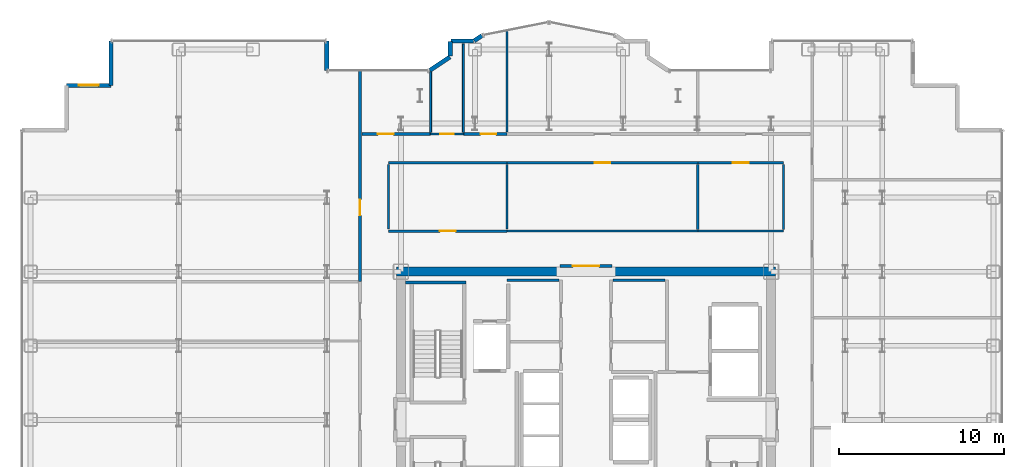
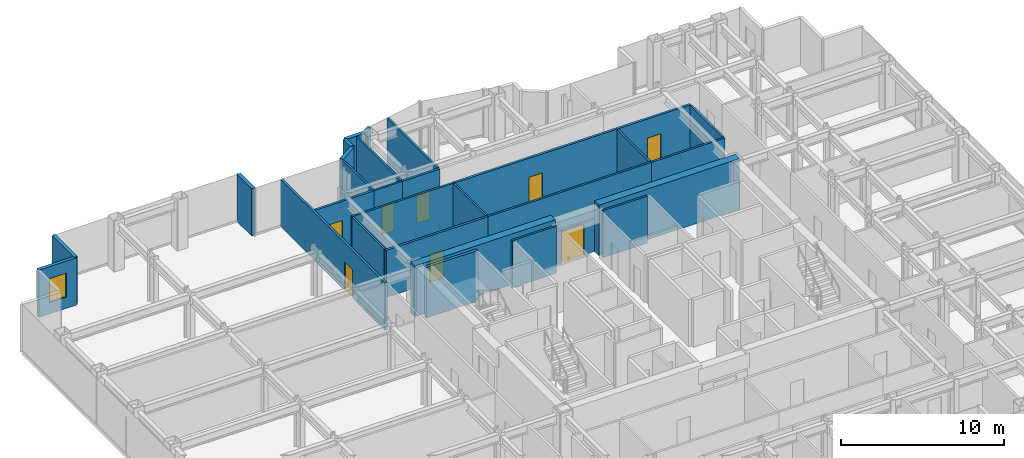
# One storey, part 21 of 23: 30 walls, 8 doors, 1 window, 9 openings.
"""IFC4 building model written with IfcOpenShell, lengths in metres."""

from ifc_helpers import new_model, si_unit, direction, frame, frame_2d, origin, place, context, subcontext, project, spatial, rectangle, extrude, source, transform, mapped, material, layer, layer_set, type_object, element, fill, save


model = new_model("IFC4")

# Units and contexts
model_context = context("Model", 3, precision=1e-05, world=origin(), true_north=direction((0.0, 1.0)))
body_context = subcontext(model_context, "Body", "Model", "MODEL_VIEW")
ifc_project = project(units=[si_unit("LENGTHUNIT", "METRE"), si_unit("AREAUNIT", "SQUARE_METRE"), si_unit("VOLUMEUNIT", "CUBIC_METRE"), si_unit("PLANEANGLEUNIT", "RADIAN"), si_unit("MASSUNIT", "GRAM", prefix="KILO")], contexts=[model_context])

# Site, building, storey
site_placement = place(None, origin())
site = spatial("IfcSite", under=ifc_project, at=site_placement, CompositionType="ELEMENT")
building_placement = place(site_placement, origin())
building = spatial("IfcBuilding", under=site, at=building_placement, Name="Nefas-Gora Pilgrimage Tower", CompositionType="ELEMENT")
storey_placement = place(building_placement, frame((0.0, 0.0, 167.800048828125)))
storey = spatial("IfcBuildingStorey", under=building, at=storey_placement, Name="L41", CompositionType="ELEMENT", Elevation=167.800048828125)

# Walls
ifc_material_1 = material(Name="Concrete C60/75", Category="concrete")
ifc_layer_1 = layer(ifc_material_1, 0.550048828125)
ifc_layer_set_1 = layer_set([ifc_layer_1], Name="Concrete C60/75")
wall_type_1 = type_object("IfcWallType", Name="SW-CORE-550", PredefinedType="SHEAR", material=ifc_layer_set_1)
shared_shape_1 = source(origin(), body_context, "Body", "SweptSolid", [
    extrude(rectangle(XDim=9.974853515625, YDim=0.550048828125, at=frame_2d((4.9873046875, 0.0))), origin(), (0.0, 0.0, 1.0), 3.800048828125),
])
for number, where, z_axis, x_axis, name in (
    (1, (-11.52490234375, 9.0, 0.0), (0.0, 0.0, 1.0), (1.0, 0.0, 0.0), "L41 Core Shear Wall N-West"),
    (2, (1.550048828125, 9.0, 0.0), (0.0, 0.0, 1.0), (1.0, 0.0, 0.0), "L41 Core Shear Wall N-East"),
):
    element("IfcWall", number, at=place(storey_placement, frame(where, z_axis=z_axis, x_axis=x_axis)), inside=storey, type_object=wall_type_1, Name=name, PredefinedType="SHEAR", context=body_context, shape_type="MappedRepresentation", body=[
        mapped(shared_shape_1, transform((0.0, 0.0, 0.0), x_axis=(1.0, 0.0, 0.0), y_axis=(0.0, 1.0, 0.0), z_axis=(0.0, 0.0, 1.0), scale=1.0)),
    ])
ifc_material_2 = material(Name="Precast concrete C40/50", Category="concrete")
ifc_layer_2 = layer(ifc_material_2, 0.260009765625)
ifc_layer_set_2 = layer_set([ifc_layer_2], Name="Precast concrete C40/50")
wall_type_2 = type_object("IfcWallType", Name="EW-PORTAL-260", PredefinedType="SOLIDWALL", material=ifc_layer_set_2)
shared_shape_2 = source(origin(), body_context, "Body", "SweptSolid", [
    extrude(rectangle(XDim=1.800048828125, YDim=0.260009765625, at=frame_2d((0.89990234375, 0.0))), origin(), (0.0, 0.0, 1.0), 3.550048828125),
])
wall_1_placement = place(storey_placement, frame((-15.75, 21.219970703125, 0.0), z_axis=(0.0, 0.0, 1.0), x_axis=(0.0, 1.0, 0.0)))
element("IfcWall", 3, at=wall_1_placement, inside=storey, type_object=wall_type_2, Name="L41 Lobe Shoulder Precast Spandrel Pier 19", PredefinedType="SOLIDWALL", context=body_context, shape_type="MappedRepresentation", body=[
    mapped(shared_shape_2, transform((0.0, 0.0, 0.0), x_axis=(1.0, 0.0, 0.0), y_axis=(0.0, 1.0, 0.0), z_axis=(0.0, 0.0, 1.0), scale=1.0)),
])
ifc_material_3 = material(Name="Precast concrete C45/55", Category="concrete")
ifc_layer_3 = layer(ifc_material_3, 0.239990234375)
ifc_layer_set_3 = layer_set([ifc_layer_3], Name="Precast concrete C45/55")
wall_type_3 = type_object("IfcWallType", Name="EW-SERR-240", PredefinedType="SHEAR", material=ifc_layer_set_3)
shared_shape_3 = source(origin(), body_context, "Body", "SweptSolid", [
    extrude(rectangle(XDim=2.699951171875, YDim=0.239990234375, at=frame_2d((1.35009765625, 0.0))), origin(), (0.0, 0.0, 1.0), 3.550048828125),
])
wall_2_placement = place(storey_placement, frame((-28.8701171875, 23.02001953125, 0.0), z_axis=(0.0, 0.0, 1.0), x_axis=(0.0, -1.0, 0.0)))
element("IfcWall", 4, at=wall_2_placement, inside=storey, type_object=wall_type_3, Name="L41 Serrated Corner Shear Pier Wall 20", PredefinedType="SHEAR", context=body_context, shape_type="MappedRepresentation", body=[
    mapped(shared_shape_3, transform((0.0, 0.0, 0.0), x_axis=(1.0, 0.0, 0.0), y_axis=(0.0, 1.0, 0.0), z_axis=(0.0, 0.0, 1.0), scale=1.0)),
])

# Wall, opening, window
wall_3_placement = place(storey_placement, frame((-28.8701171875, 20.320068359375, 0.0), z_axis=(0.0, 0.0, 1.0), x_axis=(-1.0, 0.0, 0.0)))
wall_3 = element("IfcWall", 5, at=wall_3_placement, inside=storey, type_object=wall_type_3, Name="L41 Serrated Corner Shear Pier Wall 21", PredefinedType="SHEAR", context=body_context, shape_type="MappedRepresentation", body=[
    mapped(shared_shape_3, transform((0.0, 0.0, 0.0), x_axis=(1.0, 0.0, 0.0), y_axis=(0.0, 1.0, 0.0), z_axis=(0.0, 0.0, 1.0), scale=1.0)),
])
opening_1_placement = place(wall_3_placement, frame((0.75, 0.0, 0.85009765625)))
opening_1 = element("IfcOpeningElement", 6, at=opening_1_placement, cuts=wall_3, Name="Opening W-V1", PredefinedType="OPENING", context=body_context, shape_type="SweptSolid", body=[
    extrude(rectangle(XDim=1.199951171875, YDim=1.800048828125, at=frame_2d((0.60009765625, 0.89990234375))), frame((0.0, 0.1298828125, 0.0), z_axis=(0.0, -1.0, 0.0), x_axis=(1.0, 0.0, 0.0)), (0.0, 0.0, 1.0), 0.260009765625),
])
ifc_material_4 = material(Name="Dark ceramic-fritted operable aluminium-glass window", Category="aluminium")
window_type = type_object("IfcWindowType", Name="WIN-VENT-1200x1800", PartitioningType="SINGLE_PANEL", PredefinedType="WINDOW", material=ifc_material_4)
shared_shape_4 = source(origin(), body_context, "Body", "SweptSolid", [
    extrude(rectangle(XDim=1.199951171875, YDim=1.800048828125, at=frame_2d((0.60009765625, 0.89990234375))), frame((0.0, 0.030029296875, 0.0), z_axis=(0.0, -1.0, 0.0), x_axis=(1.0, 0.0, 0.0)), (0.0, 0.0, 1.0), 0.06005859375),
])
window_placement = place(opening_1_placement, origin())
window = element("IfcWindow", 7, at=window_placement, inside=storey, type_object=window_type, Name="L41 Operable Parallel-Outswing Window 21", OverallHeight=1.800048828125, OverallWidth=1.199951171875, PartitioningType="SINGLE_PANEL", PredefinedType="WINDOW", context=body_context, shape_type="MappedRepresentation", body=[
    mapped(shared_shape_4, transform((0.0, 0.0, 0.0), x_axis=(1.0, 0.0, 0.0), y_axis=(0.0, 1.0, 0.0), z_axis=(0.0, 0.0, 1.0), scale=1.0)),
])
fill(opening_1, window)

# Walls
shared_shape_5 = source(origin(), body_context, "Body", "SweptSolid", [
    extrude(rectangle(XDim=1.468994140625, YDim=0.260009765625, at=frame_2d((0.734375, 0.0))), origin(), (0.0, 0.0, 1.0), 3.550048828125),
])
wall_4_placement = place(storey_placement, frame((-8.273193359375, 22.0517578125, 0.0), z_axis=(0.0, 0.0, 1.0), x_axis=(-0.831461760506, -0.555581983884, 0.0)))
element("IfcWall", 8, at=wall_4_placement, inside=storey, type_object=wall_type_2, Name="L41 Lobe Shoulder Precast Spandrel Pier 18", PredefinedType="SOLIDWALL", context=body_context, shape_type="MappedRepresentation", body=[
    mapped(shared_shape_5, transform((0.0, 0.0, 0.0), x_axis=(1.0, 0.0, 0.0), y_axis=(0.0, 1.0, 0.0), z_axis=(0.0, 0.0, 1.0), scale=1.0)),
])
shared_shape_6 = source(origin(), body_context, "Body", "SweptSolid", [
    extrude(rectangle(XDim=0.896728515625, YDim=0.260009765625, at=frame_2d((0.4482421875, 0.0))), origin(), (0.0, 0.0, 1.0), 3.550048828125),
])
wall_5_placement = place(storey_placement, frame((-8.25, 22.991943359375, 0.0), z_axis=(0.0, 0.0, 1.0), x_axis=(0.0, -1.0, 0.0)))
element("IfcWall", 9, at=wall_5_placement, inside=storey, type_object=wall_type_2, Name="L41 Lobe Shoulder Precast Spandrel Pier 17", PredefinedType="SOLIDWALL", context=body_context, shape_type="MappedRepresentation", body=[
    mapped(shared_shape_6, transform((0.0, 0.0, 0.0), x_axis=(1.0, 0.0, 0.0), y_axis=(0.0, 1.0, 0.0), z_axis=(0.0, 0.0, 1.0), scale=1.0)),
])
shared_shape_7 = source(origin(), body_context, "Body", "SweptSolid", [
    extrude(rectangle(XDim=1.369873046875, YDim=0.260009765625, at=frame_2d((0.68505859375, 0.0))), origin(), (0.0, 0.0, 1.0), 3.550048828125),
])
wall_6_placement = place(storey_placement, frame((-6.85205078125, 23.02001953125, 0.0), z_axis=(0.0, 0.0, 1.0), x_axis=(-1.0, 0.0, 0.0)))
element("IfcWall", 10, at=wall_6_placement, inside=storey, type_object=wall_type_2, Name="L41 Lobe Shoulder Precast Spandrel Pier 16", PredefinedType="SOLIDWALL", context=body_context, shape_type="MappedRepresentation", body=[
    mapped(shared_shape_7, transform((0.0, 0.0, 0.0), x_axis=(1.0, 0.0, 0.0), y_axis=(0.0, 1.0, 0.0), z_axis=(0.0, 0.0, 1.0), scale=1.0)),
])
shared_shape_8 = source(origin(), body_context, "Body", "SweptSolid", [
    extrude(rectangle(XDim=0.5654296875, YDim=0.260009765625, at=frame_2d((0.28271484375, 0.0))), origin(), (0.0, 0.0, 1.0), 3.550048828125),
])
wall_7_placement = place(storey_placement, frame((-6.33056640625, 23.349609375, 0.0), z_axis=(0.0, 0.0, 1.0), x_axis=(-0.831651492666, -0.555297933317, 0.0)))
element("IfcWall", 11, at=wall_7_placement, inside=storey, type_object=wall_type_2, Name="L41 Lobe Shoulder Precast Spandrel Pier 15", PredefinedType="SOLIDWALL", context=body_context, shape_type="MappedRepresentation", body=[
    mapped(shared_shape_8, transform((0.0, 0.0, 0.0), x_axis=(1.0, 0.0, 0.0), y_axis=(0.0, 1.0, 0.0), z_axis=(0.0, 0.0, 1.0), scale=1.0)),
])
ifc_material_5 = material(Name="Concrete C45/55", Category="concrete")
ifc_layer_4 = layer(ifc_material_5, 0.199951171875)
ifc_layer_set_4 = layer_set([ifc_layer_4], Name="Concrete C45/55")
wall_type_4 = type_object("IfcWallType", Name="IW-STAIR-200", PredefinedType="SOLIDWALL", material=ifc_layer_set_4)
shared_shape_9 = source(origin(), body_context, "Body", "SweptSolid", [
    extrude(rectangle(XDim=3.679931640625, YDim=0.199951171875, at=frame_2d((1.83984375, 0.0))), origin(), (0.0, 0.0, 1.0), 3.800048828125),
])
wall_8_placement = place(storey_placement, frame((-7.300048828125, 8.35009765625, 0.0), z_axis=(0.0, 0.0, 1.0), x_axis=(-1.0, 0.0, 0.0)))
element("IfcWall", 12, at=wall_8_placement, inside=storey, type_object=wall_type_4, Name="L41 Stairwell Shear Wall ST-01-far", PredefinedType="SOLIDWALL", context=body_context, shape_type="MappedRepresentation", body=[
    mapped(shared_shape_9, transform((0.0, 0.0, 0.0), x_axis=(1.0, 0.0, 0.0), y_axis=(0.0, 1.0, 0.0), z_axis=(0.0, 0.0, 1.0), scale=1.0)),
])

# Wall, opening, door
ifc_material_6 = material(Name="Moisture-resistant fire-rated gypsum partition")
ifc_layer_5 = layer(ifc_material_6, 0.1201171875)
ifc_layer_set_5 = layer_set([ifc_layer_5], Name="Moisture-resistant fire-rated gypsum partition")
wall_type_5 = type_object("IfcWallType", Name="IW-WET-120", PredefinedType="PLUMBINGWALL", material=ifc_layer_set_5)
shared_shape_10 = source(origin(), body_context, "Body", "SweptSolid", [
    extrude(rectangle(XDim=2.02001953125, YDim=0.1201171875, at=frame_2d((1.010009765625, 0.0))), origin(), (0.0, 0.0, 1.0), 3.534912109375),
])
wall_9_placement = place(storey_placement, frame((-9.4599609375, 17.3701171875, 0.0), z_axis=(0.0, 0.0, 1.0), x_axis=(1.0, 0.0, 0.0)))
wall_9 = element("IfcWall", 13, at=wall_9_placement, inside=storey, type_object=wall_type_5, Name="L41 Accessible Unisex WC Partition Wall 29", PredefinedType="PLUMBINGWALL", context=body_context, shape_type="MappedRepresentation", body=[
    mapped(shared_shape_10, transform((0.0, 0.0, 0.0), x_axis=(1.0, 0.0, 0.0), y_axis=(0.0, 1.0, 0.0), z_axis=(0.0, 0.0, 1.0), scale=1.0)),
])
opening_2_placement = place(wall_9_placement, frame((0.5849609375, 0.0, 0.0)))
opening_2 = element("IfcOpeningElement", 14, at=opening_2_placement, cuts=wall_9, Name="Opening ID-BT1", PredefinedType="OPENING", context=body_context, shape_type="SweptSolid", body=[
    extrude(rectangle(XDim=0.85009765625, YDim=2.10009765625, at=frame_2d((0.425048828125, 1.050048828125))), frame((0.0, 0.070068359375, 0.0), z_axis=(0.0, -1.0, 0.0), x_axis=(1.0, 0.0, 0.0)), (0.0, 0.0, 1.0), 0.14013671875),
])
ifc_material_7 = material(Name="Moisture-resistant fire-rated timber door", Category="wood")
door_type_1 = type_object("IfcDoorType", Name="DR-INT-BATH-850", OperationType="NOTDEFINED", PredefinedType="DOOR", material=ifc_material_7)
shared_shape_11 = source(origin(), body_context, "Body", "SweptSolid", [
    extrude(rectangle(XDim=0.85009765625, YDim=2.10009765625, at=frame_2d((0.425048828125, 1.050048828125))), frame((0.0, 0.02490234375, 0.0), z_axis=(0.0, -1.0, 0.0), x_axis=(1.0, 0.0, 0.0)), (0.0, 0.0, 1.0), 0.050048828125),
])
door_1_placement = place(opening_2_placement, origin())
door_1 = element("IfcDoor", 15, at=door_1_placement, inside=storey, type_object=door_type_1, Name="L41 Accessible Unisex WC Door 12", OperationType="SINGLE_SWING_LEFT", OverallHeight=2.10009765625, OverallWidth=0.85009765625, PredefinedType="DOOR", context=body_context, shape_type="MappedRepresentation", body=[
    mapped(shared_shape_11, transform((0.0, 0.0, 0.0), x_axis=(1.0, 0.0, 0.0), y_axis=(0.0, 1.0, 0.0), z_axis=(0.0, 0.0, 1.0), scale=1.0)),
])
fill(opening_2, door_1)

# Walls
ifc_material_8 = material(Name="Gypsum twin-stud partition")
ifc_layer_6 = layer(ifc_material_8, 0.139892578125)
ifc_layer_set_6 = layer_set([ifc_layer_6], Name="Gypsum twin-stud partition")
wall_type_6 = type_object("IfcWallType", Name="IW-UNIT-140", PredefinedType="PARTITIONING", material=ifc_layer_set_6)
shared_shape_12 = source(origin(), body_context, "Body", "SweptSolid", [
    extrude(rectangle(XDim=3.150146484375, YDim=0.139892578125, at=frame_2d((1.5751953125, 0.0))), origin(), (0.0, 0.0, 1.0), 3.534912109375),
])
for number, where, z_axis, x_axis, name in (
    (16, (-4.7900390625, 8.47998046875, 0.0), (0.0, 0.0, 1.0), (1.0, 0.0, 0.0), "L41 Archival Supply Store Partition Wall 21"),
    (17, (1.639892578125, 8.47998046875, 0.0), (0.0, 0.0, 1.0), (1.0, 0.0, 0.0), "L41 Amenity Supply Store Partition Wall 25"),
):
    element("IfcWall", number, at=place(storey_placement, frame(where, z_axis=z_axis, x_axis=x_axis)), inside=storey, type_object=wall_type_6, Name=name, PredefinedType="PARTITIONING", context=body_context, shape_type="MappedRepresentation", body=[
        mapped(shared_shape_12, transform((0.0, 0.0, 0.0), x_axis=(1.0, 0.0, 0.0), y_axis=(0.0, 1.0, 0.0), z_axis=(0.0, 0.0, 1.0), scale=1.0)),
    ])

# Wall, opening, door
ifc_material_9 = material(Name="Gypsum acoustic stud partition")
ifc_layer_7 = layer(ifc_material_9, 0.159912109375)
ifc_layer_set_7 = layer_set([ifc_layer_7], Name="Gypsum acoustic stud partition")
wall_type_7 = type_object("IfcWallType", Name="IW-CORR-160", PredefinedType="PARTITIONING", material=ifc_layer_set_7)
shared_shape_13 = source(origin(), body_context, "Body", "SweptSolid", [
    extrude(rectangle(XDim=12.844970703125, YDim=0.159912109375, at=frame_2d((6.42236328125, 0.0))), origin(), (0.0, 0.0, 1.0), 3.534912109375),
])
wall_10_placement = place(storey_placement, frame((-13.739990234375, 8.39501953125, 0.0), z_axis=(0.0, 0.0, 1.0), x_axis=(0.0, 1.0, 0.0)))
wall_10 = element("IfcWall", 18, at=wall_10_placement, inside=storey, type_object=wall_type_7, Name="L41 Pilgrim Fellowship Seminar Room Partition Wall 40", PredefinedType="PARTITIONING", context=body_context, shape_type="MappedRepresentation", body=[
    mapped(shared_shape_13, transform((0.0, 0.0, 0.0), x_axis=(1.0, 0.0, 0.0), y_axis=(0.0, 1.0, 0.0), z_axis=(0.0, 0.0, 1.0), scale=1.0)),
])
opening_3_placement = place(wall_10_placement, frame((4.032470703125, 0.0, 0.0)))
opening_3 = element("IfcOpeningElement", 19, at=opening_3_placement, cuts=wall_10, Name="Opening ID-GR1", PredefinedType="OPENING", context=body_context, shape_type="SweptSolid", body=[
    extrude(rectangle(XDim=0.949951171875, YDim=2.10009765625, at=frame_2d((0.47509765625, 1.050048828125))), frame((0.0, 0.08984375, 0.0), z_axis=(0.0, -1.0, 0.0), x_axis=(1.0, 0.0, 0.0)), (0.0, 0.0, 1.0), 0.179931640625),
])
ifc_material_10 = material(Name="Solid core oak fire-rated guest entrance door")
door_type_2 = type_object("IfcDoorType", Name="DR-INT-GUEST-950", OperationType="NOTDEFINED", PredefinedType="DOOR", material=ifc_material_10)
shared_shape_14 = source(origin(), body_context, "Body", "SweptSolid", [
    extrude(rectangle(XDim=0.949951171875, YDim=2.10009765625, at=frame_2d((0.47509765625, 1.050048828125))), frame((0.0, 0.02490234375, 0.0), z_axis=(0.0, -1.0, 0.0), x_axis=(1.0, 0.0, 0.0)), (0.0, 0.0, 1.0), 0.050048828125),
])
door_2_placement = place(opening_3_placement, origin())
door_2 = element("IfcDoor", 20, at=door_2_placement, inside=storey, type_object=door_type_2, Name="L41 Pilgrim Fellowship Seminar Room Door 17", OperationType="SINGLE_SWING_RIGHT", OverallHeight=2.10009765625, OverallWidth=0.949951171875, PredefinedType="DOOR", context=body_context, shape_type="MappedRepresentation", body=[
    mapped(shared_shape_14, transform((0.0, 0.0, 0.0), x_axis=(1.0, 0.0, 0.0), y_axis=(0.0, 1.0, 0.0), z_axis=(0.0, 0.0, 1.0), scale=1.0)),
])
fill(opening_3, door_2)

shared_shape_15 = source(origin(), body_context, "Body", "SweptSolid", [
    extrude(rectangle(XDim=3.16015625, YDim=0.159912109375, at=frame_2d((1.580078125, 0.0))), origin(), (0.0, 0.0, 1.0), 2.425048828125),
])
wall_11_placement = place(storey_placement, frame((-1.580078125, 9.35009765625, 0.0), z_axis=(0.0, 0.0, 1.0), x_axis=(1.0, 0.0, 0.0)))
wall_11 = element("IfcWall", 21, at=wall_11_placement, inside=storey, type_object=wall_type_7, Name="L41 Central Lift Lobby North Portal Wall 15", PredefinedType="PARTITIONING", context=body_context, shape_type="MappedRepresentation", body=[
    mapped(shared_shape_15, transform((0.0, 0.0, 0.0), x_axis=(1.0, 0.0, 0.0), y_axis=(0.0, 1.0, 0.0), z_axis=(0.0, 0.0, 1.0), scale=1.0)),
])
opening_4_placement = place(wall_11_placement, frame((0.780029296875, 0.0, 0.0)))
opening_4 = element("IfcOpeningElement", 22, at=opening_4_placement, cuts=wall_11, Name="Opening ID-HL1", PredefinedType="OPENING", context=body_context, shape_type="SweptSolid", body=[
    extrude(rectangle(XDim=1.60009765625, YDim=2.300048828125, at=frame_2d((0.800048828125, 1.14990234375))), frame((0.0, 0.08984375, 0.0), z_axis=(0.0, -1.0, 0.0), x_axis=(1.0, 0.0, 0.0)), (0.0, 0.0, 1.0), 0.179931640625),
])
ifc_material_11 = material(Name="Double acoustic timber assembly hall door", Category="wood")
door_type_3 = type_object("IfcDoorType", Name="DR-INT-HALL-1600", OperationType="DOUBLE_DOOR_SINGLE_SWING", PredefinedType="DOOR", material=ifc_material_11)
shared_shape_16 = source(origin(), body_context, "Body", "SweptSolid", [
    extrude(rectangle(XDim=1.60009765625, YDim=2.300048828125, at=frame_2d((0.800048828125, 1.14990234375))), frame((0.0, 0.02490234375, 0.0), z_axis=(0.0, -1.0, 0.0), x_axis=(1.0, 0.0, 0.0)), (0.0, 0.0, 1.0), 0.050048828125),
])
door_3_placement = place(opening_4_placement, origin())
door_3 = element("IfcDoor", 23, at=door_3_placement, inside=storey, type_object=door_type_3, Name="L41 Central Lift Lobby North Portal Door 5", OperationType="DOUBLE_DOOR_SINGLE_SWING", OverallHeight=2.300048828125, OverallWidth=1.60009765625, PredefinedType="DOOR", context=body_context, shape_type="MappedRepresentation", body=[
    mapped(shared_shape_16, transform((0.0, 0.0, 0.0), x_axis=(1.0, 0.0, 0.0), y_axis=(0.0, 1.0, 0.0), z_axis=(0.0, 0.0, 1.0), scale=1.0)),
])
fill(opening_4, door_3)

# Walls
shared_shape_17 = source(origin(), body_context, "Body", "SweptSolid", [
    extrude(rectangle(XDim=5.380126953125, YDim=0.1201171875, at=frame_2d((2.68994140625, 0.0))), origin(), (0.0, 0.0, 1.0), 3.534912109375),
])
wall_12_placement = place(storey_placement, frame((-7.449951171875, 17.469970703125, 0.0), z_axis=(0.0, 0.0, 1.0), x_axis=(0.0, 1.0, 0.0)))
element("IfcWall", 24, at=wall_12_placement, inside=storey, type_object=wall_type_5, Name="L41 Accessible Unisex WC Partition Wall 30", PredefinedType="PLUMBINGWALL", context=body_context, shape_type="MappedRepresentation", body=[
    mapped(shared_shape_17, transform((0.0, 0.0, 0.0), x_axis=(1.0, 0.0, 0.0), y_axis=(0.0, 1.0, 0.0), z_axis=(0.0, 0.0, 1.0), scale=1.0)),
])
shared_shape_18 = source(origin(), body_context, "Body", "SweptSolid", [
    extrude(rectangle(XDim=3.686767578125, YDim=0.1201171875, at=frame_2d((1.84326171875, 0.0))), origin(), (0.0, 0.0, 1.0), 3.534912109375),
])
wall_13_placement = place(storey_placement, frame((-9.449951171875, 17.469970703125, 0.0), z_axis=(0.0, 0.0, 1.0), x_axis=(0.0, 1.0, 0.0)))
element("IfcWall", 25, at=wall_13_placement, inside=storey, type_object=wall_type_5, Name="L41 Accessible Unisex WC Partition Wall 31", PredefinedType="PLUMBINGWALL", context=body_context, shape_type="MappedRepresentation", body=[
    mapped(shared_shape_18, transform((0.0, 0.0, 0.0), x_axis=(1.0, 0.0, 0.0), y_axis=(0.0, 1.0, 0.0), z_axis=(0.0, 0.0, 1.0), scale=1.0)),
])
shared_shape_19 = source(origin(), body_context, "Body", "SweptSolid", [
    extrude(rectangle(XDim=3.929931640625, YDim=0.139892578125, at=frame_2d((1.96484375, 0.0))), origin(), (0.0, 0.0, 1.0), 3.534912109375),
])
for number, where, z_axis, x_axis, name in (
    (26, (-12.0, 11.590087890625, 0.0), (0.0, 0.0, 1.0), (0.0, 1.0, 0.0), "L41 Pastoral Chaplains Counselling Office Partition Wall 54"),
    (27, (-4.804931640625, 11.590087890625, 0.0), (0.0, 0.0, 1.0), (0.0, 1.0, 0.0), "L41 Pastoral Chaplains Counselling Office Partition Wall 55"),
    (28, (6.794921875, 11.580078125, 0.0), (0.0, 0.0, 1.0), (0.0, 1.0, 0.0), "L41 Pilgrim Contemplative Lounge Partition Wall 63"),
    (29, (12.0, 11.580078125, 0.0), (0.0, 0.0, 1.0), (0.0, 1.0, 0.0), "L41 Scripture Reading Study Partition Wall 67"),
):
    element("IfcWall", number, at=place(storey_placement, frame(where, z_axis=z_axis, x_axis=x_axis)), inside=storey, type_object=wall_type_6, Name=name, PredefinedType="PARTITIONING", context=body_context, shape_type="MappedRepresentation", body=[
        mapped(shared_shape_19, transform((0.0, 0.0, 0.0), x_axis=(1.0, 0.0, 0.0), y_axis=(0.0, 1.0, 0.0), z_axis=(0.0, 0.0, 1.0), scale=1.0)),
    ])

# Wall, opening, door
shared_shape_20 = source(origin(), body_context, "Body", "SweptSolid", [
    extrude(rectangle(XDim=4.16015625, YDim=0.159912109375, at=frame_2d((2.080078125, 0.0))), origin(), (0.0, 0.0, 1.0), 3.534912109375),
])
wall_14_placement = place(storey_placement, frame((-13.6201171875, 17.3701171875, 0.0), z_axis=(0.0, 0.0, 1.0), x_axis=(1.0, 0.0, 0.0)))
wall_14 = element("IfcWall", 30, at=wall_14_placement, inside=storey, type_object=wall_type_7, Name="L41 Pilgrim Contemplative Lounge Partition Wall 58", PredefinedType="PARTITIONING", context=body_context, shape_type="MappedRepresentation", body=[
    mapped(shared_shape_20, transform((0.0, 0.0, 0.0), x_axis=(1.0, 0.0, 0.0), y_axis=(0.0, 1.0, 0.0), z_axis=(0.0, 0.0, 1.0), scale=1.0)),
])
opening_5_placement = place(wall_14_placement, frame((0.968994140625, 0.0, 0.0)))
opening_5 = element("IfcOpeningElement", 31, at=opening_5_placement, cuts=wall_14, Name="Opening ID-GR1", PredefinedType="OPENING", context=body_context, shape_type="SweptSolid", body=[
    extrude(rectangle(XDim=0.949951171875, YDim=2.10009765625, at=frame_2d((0.47509765625, 1.050048828125))), frame((0.0, 0.08984375, 0.0), z_axis=(0.0, -1.0, 0.0), x_axis=(1.0, 0.0, 0.0)), (0.0, 0.0, 1.0), 0.179931640625),
])
door_4_placement = place(opening_5_placement, origin())
door_4 = element("IfcDoor", 32, at=door_4_placement, inside=storey, type_object=door_type_2, Name="L41 Pilgrim Contemplative Lounge Door 26", OperationType="SINGLE_SWING_LEFT", OverallHeight=2.10009765625, OverallWidth=0.949951171875, PredefinedType="DOOR", context=body_context, shape_type="MappedRepresentation", body=[
    mapped(shared_shape_14, transform((0.0, 0.0, 0.0), x_axis=(1.0, 0.0, 0.0), y_axis=(0.0, 1.0, 0.0), z_axis=(0.0, 0.0, 1.0), scale=1.0)),
])
fill(opening_5, door_4)

shared_shape_21 = source(origin(), body_context, "Body", "SweptSolid", [
    extrude(rectangle(XDim=7.215087890625, YDim=0.159912109375, at=frame_2d((3.607421875, 0.0))), origin(), (0.0, 0.0, 1.0), 3.534912109375),
])
wall_15_placement = place(storey_placement, frame((-12.010009765625, 11.469970703125, 0.0), z_axis=(0.0, 0.0, 1.0), x_axis=(1.0, 0.0, 0.0)))
wall_15 = element("IfcWall", 33, at=wall_15_placement, inside=storey, type_object=wall_type_7, Name="L41 Pastoral Chaplains Counselling Office Partition Wall 52", PredefinedType="PARTITIONING", context=body_context, shape_type="MappedRepresentation", body=[
    mapped(shared_shape_21, transform((0.0, 0.0, 0.0), x_axis=(1.0, 0.0, 0.0), y_axis=(0.0, 1.0, 0.0), z_axis=(0.0, 0.0, 1.0), scale=1.0)),
])
opening_6_placement = place(wall_15_placement, frame((3.132568359375, 0.0, 0.0)))
opening_6 = element("IfcOpeningElement", 34, at=opening_6_placement, cuts=wall_15, Name="Opening ID-GR1", PredefinedType="OPENING", context=body_context, shape_type="SweptSolid", body=[
    extrude(rectangle(XDim=0.949951171875, YDim=2.10009765625, at=frame_2d((0.47509765625, 1.050048828125))), frame((0.0, 0.08984375, 0.0), z_axis=(0.0, -1.0, 0.0), x_axis=(1.0, 0.0, 0.0)), (0.0, 0.0, 1.0), 0.179931640625),
])
door_5_placement = place(opening_6_placement, origin())
door_5 = element("IfcDoor", 35, at=door_5_placement, inside=storey, type_object=door_type_2, Name="L41 Pastoral Chaplains Counselling Office Door 24", OperationType="SINGLE_SWING_LEFT", OverallHeight=2.10009765625, OverallWidth=0.949951171875, PredefinedType="DOOR", context=body_context, shape_type="MappedRepresentation", body=[
    mapped(shared_shape_14, transform((0.0, 0.0, 0.0), x_axis=(1.0, 0.0, 0.0), y_axis=(0.0, 1.0, 0.0), z_axis=(0.0, 0.0, 1.0), scale=1.0)),
])
fill(opening_6, door_5)

# Wall
shared_shape_22 = source(origin(), body_context, "Body", "SweptSolid", [
    extrude(rectangle(XDim=7.215087890625, YDim=0.139892578125, at=frame_2d((3.607421875, 0.0))), origin(), (0.0, 0.0, 1.0), 3.534912109375),
])
wall_16_placement = place(storey_placement, frame((-12.010009765625, 15.6298828125, 0.0), z_axis=(0.0, 0.0, 1.0), x_axis=(1.0, 0.0, 0.0)))
element("IfcWall", 36, at=wall_16_placement, inside=storey, type_object=wall_type_6, Name="L41 Pastoral Chaplains Counselling Office Partition Wall 53", PredefinedType="PARTITIONING", context=body_context, shape_type="MappedRepresentation", body=[
    mapped(shared_shape_22, transform((0.0, 0.0, 0.0), x_axis=(1.0, 0.0, 0.0), y_axis=(0.0, 1.0, 0.0), z_axis=(0.0, 0.0, 1.0), scale=1.0)),
])

# Wall, opening, door
shared_shape_23 = source(origin(), body_context, "Body", "SweptSolid", [
    extrude(rectangle(XDim=2.64501953125, YDim=0.159912109375, at=frame_2d((1.322509765625, 0.0))), origin(), (0.0, 0.0, 1.0), 3.534912109375),
])
wall_17_placement = place(storey_placement, frame((-7.43994140625, 17.3701171875, 0.0), z_axis=(0.0, 0.0, 1.0), x_axis=(1.0, 0.0, 0.0)))
wall_17 = element("IfcWall", 37, at=wall_17_placement, inside=storey, type_object=wall_type_7, Name="L41 Pilgrim Contemplative Lounge Partition Wall 56", PredefinedType="PARTITIONING", context=body_context, shape_type="MappedRepresentation", body=[
    mapped(shared_shape_23, transform((0.0, 0.0, 0.0), x_axis=(1.0, 0.0, 0.0), y_axis=(0.0, 1.0, 0.0), z_axis=(0.0, 0.0, 1.0), scale=1.0)),
])
opening_7_placement = place(wall_17_placement, frame((1.029052734375, 0.0, 0.0)))
opening_7 = element("IfcOpeningElement", 38, at=opening_7_placement, cuts=wall_17, Name="Opening ID-GR1", PredefinedType="OPENING", context=body_context, shape_type="SweptSolid", body=[
    extrude(rectangle(XDim=0.949951171875, YDim=2.10009765625, at=frame_2d((0.47509765625, 1.050048828125))), frame((0.0, 0.08984375, 0.0), z_axis=(0.0, -1.0, 0.0), x_axis=(1.0, 0.0, 0.0)), (0.0, 0.0, 1.0), 0.179931640625),
])
door_6_placement = place(opening_7_placement, origin())
door_6 = element("IfcDoor", 39, at=door_6_placement, inside=storey, type_object=door_type_2, Name="L41 Pilgrim Contemplative Lounge Door 25", OperationType="SINGLE_SWING_RIGHT", OverallHeight=2.10009765625, OverallWidth=0.949951171875, PredefinedType="DOOR", context=body_context, shape_type="MappedRepresentation", body=[
    mapped(shared_shape_14, transform((0.0, 0.0, 0.0), x_axis=(1.0, 0.0, 0.0), y_axis=(0.0, 1.0, 0.0), z_axis=(0.0, 0.0, 1.0), scale=1.0)),
])
fill(opening_7, door_6)

# Wall
shared_shape_24 = source(origin(), body_context, "Body", "SweptSolid", [
    extrude(rectangle(XDim=6.196533203125, YDim=0.139892578125, at=frame_2d((3.09814453125, 0.0))), origin(), (0.0, 0.0, 1.0), 3.534912109375),
])
wall_18_placement = place(storey_placement, frame((-4.804931640625, 17.489990234375, 0.0), z_axis=(0.0, 0.0, 1.0), x_axis=(0.0, 1.0, 0.0)))
element("IfcWall", 40, at=wall_18_placement, inside=storey, type_object=wall_type_6, Name="L41 Pilgrim Contemplative Lounge Partition Wall 57", PredefinedType="PARTITIONING", context=body_context, shape_type="MappedRepresentation", body=[
    mapped(shared_shape_24, transform((0.0, 0.0, 0.0), x_axis=(1.0, 0.0, 0.0), y_axis=(0.0, 1.0, 0.0), z_axis=(0.0, 0.0, 1.0), scale=1.0)),
])

# Wall, opening, door
shared_shape_25 = source(origin(), body_context, "Body", "SweptSolid", [
    extrude(rectangle(XDim=11.60986328125, YDim=0.159912109375, at=frame_2d((5.804931640625, 0.0))), origin(), (0.0, 0.0, 1.0), 3.534912109375),
])
wall_19_placement = place(storey_placement, frame((-4.804931640625, 15.6298828125, 0.0), z_axis=(0.0, 0.0, 1.0), x_axis=(1.0, 0.0, 0.0)))
wall_19 = element("IfcWall", 41, at=wall_19_placement, inside=storey, type_object=wall_type_7, Name="L41 Pilgrim Contemplative Lounge Partition Wall 61", PredefinedType="PARTITIONING", context=body_context, shape_type="MappedRepresentation", body=[
    mapped(shared_shape_25, transform((0.0, 0.0, 0.0), x_axis=(1.0, 0.0, 0.0), y_axis=(0.0, 1.0, 0.0), z_axis=(0.0, 0.0, 1.0), scale=1.0)),
])
opening_8_placement = place(wall_19_placement, frame((5.330078125, 0.0, 0.0)))
opening_8 = element("IfcOpeningElement", 42, at=opening_8_placement, cuts=wall_19, Name="Opening ID-GR1", PredefinedType="OPENING", context=body_context, shape_type="SweptSolid", body=[
    extrude(rectangle(XDim=0.949951171875, YDim=2.10009765625, at=frame_2d((0.47509765625, 1.050048828125))), frame((0.0, 0.08984375, 0.0), z_axis=(0.0, -1.0, 0.0), x_axis=(1.0, 0.0, 0.0)), (0.0, 0.0, 1.0), 0.179931640625),
])
door_7_placement = place(opening_8_placement, origin())
door_7 = element("IfcDoor", 43, at=door_7_placement, inside=storey, type_object=door_type_2, Name="L41 Pilgrim Contemplative Lounge Door 28", OperationType="SINGLE_SWING_LEFT", OverallHeight=2.10009765625, OverallWidth=0.949951171875, PredefinedType="DOOR", context=body_context, shape_type="MappedRepresentation", body=[
    mapped(shared_shape_14, transform((0.0, 0.0, 0.0), x_axis=(1.0, 0.0, 0.0), y_axis=(0.0, 1.0, 0.0), z_axis=(0.0, 0.0, 1.0), scale=1.0)),
])
fill(opening_8, door_7)

# Wall
shared_shape_26 = source(origin(), body_context, "Body", "SweptSolid", [
    extrude(rectangle(XDim=11.60986328125, YDim=0.139892578125, at=frame_2d((5.804931640625, 0.0))), origin(), (0.0, 0.0, 1.0), 3.534912109375),
])
wall_20_placement = place(storey_placement, frame((-4.804931640625, 11.469970703125, 0.0), z_axis=(0.0, 0.0, 1.0), x_axis=(1.0, 0.0, 0.0)))
element("IfcWall", 44, at=wall_20_placement, inside=storey, type_object=wall_type_6, Name="L41 Pilgrim Contemplative Lounge Partition Wall 62", PredefinedType="PARTITIONING", context=body_context, shape_type="MappedRepresentation", body=[
    mapped(shared_shape_26, transform((0.0, 0.0, 0.0), x_axis=(1.0, 0.0, 0.0), y_axis=(0.0, 1.0, 0.0), z_axis=(0.0, 0.0, 1.0), scale=1.0)),
])

# Wall, opening, door
shared_shape_27 = source(origin(), body_context, "Body", "SweptSolid", [
    extrude(rectangle(XDim=5.215087890625, YDim=0.159912109375, at=frame_2d((2.607421875, 0.0))), origin(), (0.0, 0.0, 1.0), 3.534912109375),
])
wall_21_placement = place(storey_placement, frame((6.794921875, 15.6298828125, 0.0), z_axis=(0.0, 0.0, 1.0), x_axis=(1.0, 0.0, 0.0)))
wall_21 = element("IfcWall", 45, at=wall_21_placement, inside=storey, type_object=wall_type_7, Name="L41 Scripture Reading Study Partition Wall 65", PredefinedType="PARTITIONING", context=body_context, shape_type="MappedRepresentation", body=[
    mapped(shared_shape_27, transform((0.0, 0.0, 0.0), x_axis=(1.0, 0.0, 0.0), y_axis=(0.0, 1.0, 0.0), z_axis=(0.0, 0.0, 1.0), scale=1.0)),
])
opening_9_placement = place(wall_21_placement, frame((2.132568359375, 0.0, 0.0)))
opening_9 = element("IfcOpeningElement", 46, at=opening_9_placement, cuts=wall_21, Name="Opening ID-GR1", PredefinedType="OPENING", context=body_context, shape_type="SweptSolid", body=[
    extrude(rectangle(XDim=0.949951171875, YDim=2.10009765625, at=frame_2d((0.47509765625, 1.050048828125))), frame((0.0, 0.08984375, 0.0), z_axis=(0.0, -1.0, 0.0), x_axis=(1.0, 0.0, 0.0)), (0.0, 0.0, 1.0), 0.179931640625),
])
door_8_placement = place(opening_9_placement, origin())
door_8 = element("IfcDoor", 47, at=door_8_placement, inside=storey, type_object=door_type_2, Name="L41 Scripture Reading Study Door 30", OperationType="SINGLE_SWING_LEFT", OverallHeight=2.10009765625, OverallWidth=0.949951171875, PredefinedType="DOOR", context=body_context, shape_type="MappedRepresentation", body=[
    mapped(shared_shape_14, transform((0.0, 0.0, 0.0), x_axis=(1.0, 0.0, 0.0), y_axis=(0.0, 1.0, 0.0), z_axis=(0.0, 0.0, 1.0), scale=1.0)),
])
fill(opening_9, door_8)

# Wall
shared_shape_28 = source(origin(), body_context, "Body", "SweptSolid", [
    extrude(rectangle(XDim=5.215087890625, YDim=0.139892578125, at=frame_2d((2.607421875, 0.0))), origin(), (0.0, 0.0, 1.0), 3.534912109375),
])
wall_22_placement = place(storey_placement, frame((6.794921875, 11.469970703125, 0.0), z_axis=(0.0, 0.0, 1.0), x_axis=(1.0, 0.0, 0.0)))
element("IfcWall", 48, at=wall_22_placement, inside=storey, type_object=wall_type_6, Name="L41 Scripture Reading Study Partition Wall 66", PredefinedType="PARTITIONING", context=body_context, shape_type="MappedRepresentation", body=[
    mapped(shared_shape_28, transform((0.0, 0.0, 0.0), x_axis=(1.0, 0.0, 0.0), y_axis=(0.0, 1.0, 0.0), z_axis=(0.0, 0.0, 1.0), scale=1.0)),
])

save(model, "model.ifc")
